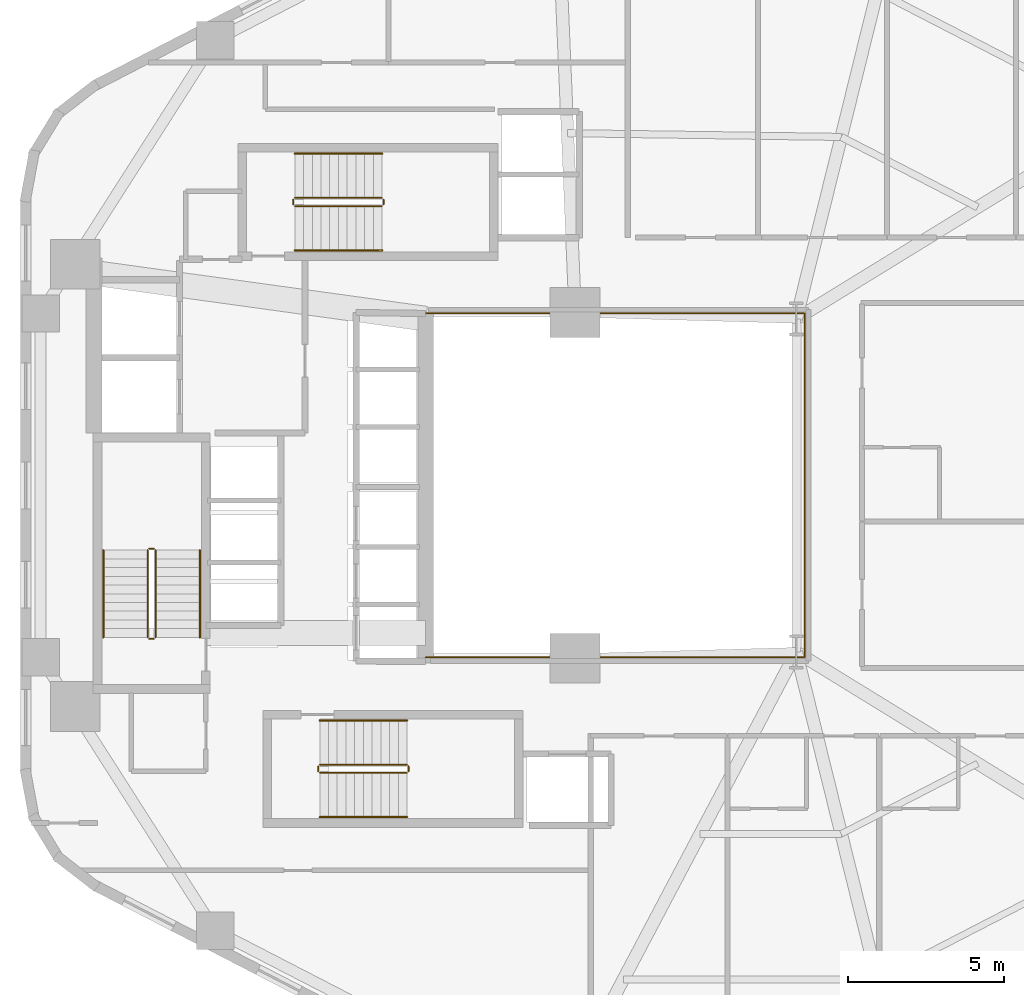
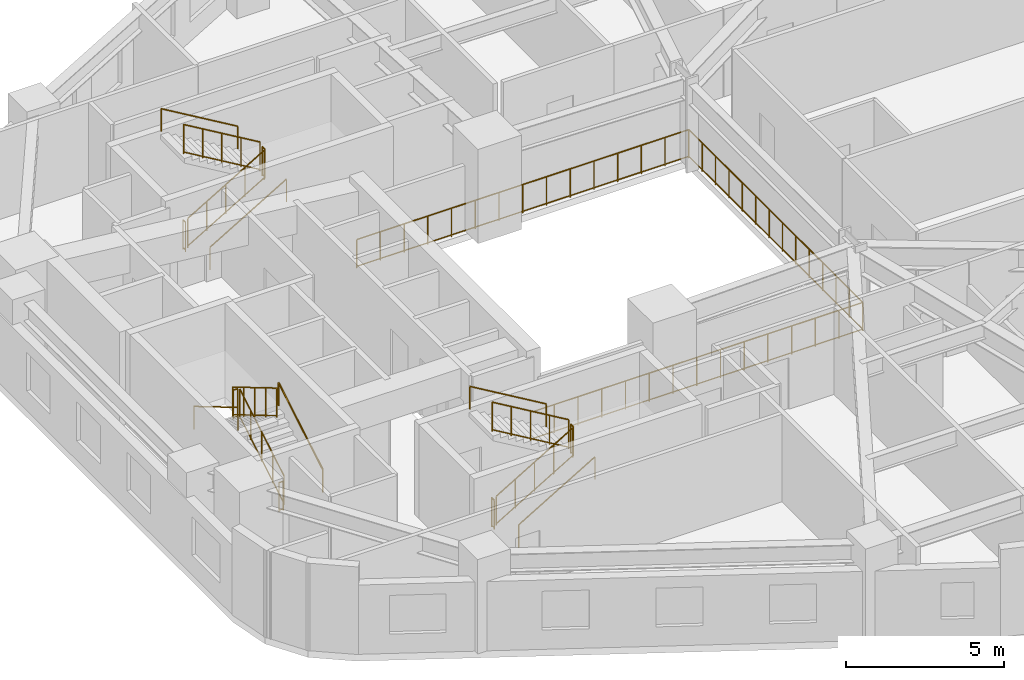
# One storey, part 7 of 7: 19 railings.
"""IFC4 building model written with IfcOpenShell, lengths in metres."""

from ifc_helpers import new_model, si_unit, direction, frame, origin, origin_2d, place, context, subcontext, project, spatial, circle, extrude, material, type_object, element, save


model = new_model("IFC4")

# Units and contexts
model_context = context("Model", 3, precision=1e-05, world=origin(), true_north=direction((0.0, 1.0)))
body_context = subcontext(model_context, "Body", "Model", "MODEL_VIEW")
ifc_project = project(units=[si_unit("LENGTHUNIT", "METRE"), si_unit("AREAUNIT", "SQUARE_METRE"), si_unit("VOLUMEUNIT", "CUBIC_METRE"), si_unit("PLANEANGLEUNIT", "RADIAN"), si_unit("MASSUNIT", "GRAM", prefix="KILO"), si_unit("THERMODYNAMICTEMPERATUREUNIT", "KELVIN"), si_unit("POWERUNIT", "WATT")], contexts=[model_context])

# Site, building, storey
site_placement = place(None, origin())
site = spatial("IfcSite", under=ifc_project, at=site_placement, CompositionType="ELEMENT")
building_placement = place(site_placement, origin())
building = spatial("IfcBuilding", under=site, at=building_placement, Name="Skarre Station Tower", CompositionType="ELEMENT")
storey_placement = place(building_placement, frame((0.0, 0.0, 74.449951171875)))
storey = spatial("IfcBuildingStorey", under=building, at=storey_placement, Name="L19", CompositionType="ELEMENT", Elevation=74.449951171875)

# Railings
ifc_material_1 = material(Name="Bronze Anodized Steel & Laminated Glass Balustrade", Category="steel")
railing_type_1 = type_object("IfcRailingType", Name="Atrium Void & Mezzanine Guard Balustrade 1120", PredefinedType="GUARDRAIL", material=ifc_material_1)
railing_1_placement = place(storey_placement, frame((27.550048828125, 18.47998046875, 0.0)))
element("IfcRailing", 1, at=railing_1_placement, inside=storey, type_object=railing_type_1, Name="L19 Atrium Void Guard Balustrade", PredefinedType="GUARDRAIL", context=body_context, shape_type="SweptSolid", body=[
    extrude(circle(Radius=0.02392578125, at=origin_2d()), frame((0.0, 0.0, 1.09619140625), z_axis=(1.0, 0.0, 0.0), x_axis=(0.0, 1.0, 0.0)), (0.0, 0.0, 1.0), 12.169921875),
    extrude(circle(Radius=0.02099609375, at=origin_2d()), frame((0.0, 0.0, 0.06005859375), z_axis=(1.0, 0.0, 0.0), x_axis=(0.0, 1.0, 0.0)), (0.0, 0.0, 1.0), 12.169921875),
    extrude(circle(Radius=0.02392578125, at=origin_2d()), frame((12.169921875, 0.0, 1.09619140625), z_axis=(0.0, 1.0, 0.0), x_axis=(-1.0, 0.0, 0.0)), (0.0, 0.0, 1.0), 11.0400390625),
    extrude(circle(Radius=0.02099609375, at=origin_2d()), frame((12.169921875, 0.0, 0.06005859375), z_axis=(0.0, 1.0, 0.0), x_axis=(-1.0, 0.0, 0.0)), (0.0, 0.0, 1.0), 11.0400390625),
    extrude(circle(Radius=0.02392578125, at=origin_2d()), frame((12.169921875, 11.0400390625, 1.09619140625), z_axis=(-1.0, 0.0, 0.0), x_axis=(0.0, -1.0, 0.0)), (0.0, 0.0, 1.0), 12.169921875),
    extrude(circle(Radius=0.02099609375, at=origin_2d()), frame((12.169921875, 11.0400390625, 0.06005859375), z_axis=(-1.0, 0.0, 0.0), x_axis=(0.0, -1.0, 0.0)), (0.0, 0.0, 1.0), 12.169921875),
    extrude(circle(Radius=0.02099609375, at=origin_2d()), origin(), (0.0, 0.0, 1.0), 1.072021484375),
    extrude(circle(Radius=0.02099609375, at=origin_2d()), frame((0.869384765625, 0.0, 0.0)), (0.0, 0.0, 1.0), 1.072021484375),
    extrude(circle(Radius=0.02099609375, at=origin_2d()), frame((1.738525390625, 0.0, 0.0)), (0.0, 0.0, 1.0), 1.072021484375),
    extrude(circle(Radius=0.02099609375, at=origin_2d()), frame((2.60791015625, 0.0, 0.0)), (0.0, 0.0, 1.0), 1.072021484375),
    extrude(circle(Radius=0.02099609375, at=origin_2d()), frame((3.47705078125, 0.0, 0.0)), (0.0, 0.0, 1.0), 1.072021484375),
    extrude(circle(Radius=0.02099609375, at=origin_2d()), frame((4.346435546875, 0.0, 0.0)), (0.0, 0.0, 1.0), 1.072021484375),
    extrude(circle(Radius=0.02099609375, at=origin_2d()), frame((5.215576171875, 0.0, 0.0)), (0.0, 0.0, 1.0), 1.072021484375),
    extrude(circle(Radius=0.02099609375, at=origin_2d()), frame((6.0849609375, 0.0, 0.0)), (0.0, 0.0, 1.0), 1.072021484375),
    extrude(circle(Radius=0.02099609375, at=origin_2d()), frame((6.954345703125, 0.0, 0.0)), (0.0, 0.0, 1.0), 1.072021484375),
    extrude(circle(Radius=0.02099609375, at=origin_2d()), frame((7.823486328125, 0.0, 0.0)), (0.0, 0.0, 1.0), 1.072021484375),
    extrude(circle(Radius=0.02099609375, at=origin_2d()), frame((8.69287109375, 0.0, 0.0)), (0.0, 0.0, 1.0), 1.072021484375),
    extrude(circle(Radius=0.02099609375, at=origin_2d()), frame((9.56201171875, 0.0, 0.0)), (0.0, 0.0, 1.0), 1.072021484375),
    extrude(circle(Radius=0.02099609375, at=origin_2d()), frame((10.431396484375, 0.0, 0.0)), (0.0, 0.0, 1.0), 1.072021484375),
    extrude(circle(Radius=0.02099609375, at=origin_2d()), frame((11.300537109375, 0.0, 0.0)), (0.0, 0.0, 1.0), 1.072021484375),
    extrude(circle(Radius=0.02099609375, at=origin_2d()), frame((12.169921875, 0.0, 0.0)), (0.0, 0.0, 1.0), 1.072021484375),
    extrude(circle(Radius=0.02099609375, at=origin_2d()), frame((12.169921875, 0.84912109375, 0.0)), (0.0, 0.0, 1.0), 1.072021484375),
    extrude(circle(Radius=0.02099609375, at=origin_2d()), frame((12.169921875, 1.698486328125, 0.0)), (0.0, 0.0, 1.0), 1.072021484375),
    extrude(circle(Radius=0.02099609375, at=origin_2d()), frame((12.169921875, 2.547607421875, 0.0)), (0.0, 0.0, 1.0), 1.072021484375),
    extrude(circle(Radius=0.02099609375, at=origin_2d()), frame((12.169921875, 3.39697265625, 0.0)), (0.0, 0.0, 1.0), 1.072021484375),
    extrude(circle(Radius=0.02099609375, at=origin_2d()), frame((12.169921875, 4.24609375, 0.0)), (0.0, 0.0, 1.0), 1.072021484375),
    extrude(circle(Radius=0.02099609375, at=origin_2d()), frame((12.169921875, 5.095458984375, 0.0)), (0.0, 0.0, 1.0), 1.072021484375),
    extrude(circle(Radius=0.02099609375, at=origin_2d()), frame((12.169921875, 5.944580078125, 0.0)), (0.0, 0.0, 1.0), 1.072021484375),
    extrude(circle(Radius=0.02099609375, at=origin_2d()), frame((12.169921875, 6.7939453125, 0.0)), (0.0, 0.0, 1.0), 1.072021484375),
    extrude(circle(Radius=0.02099609375, at=origin_2d()), frame((12.169921875, 7.64306640625, 0.0)), (0.0, 0.0, 1.0), 1.072021484375),
    extrude(circle(Radius=0.02099609375, at=origin_2d()), frame((12.169921875, 8.492431640625, 0.0)), (0.0, 0.0, 1.0), 1.072021484375),
    extrude(circle(Radius=0.02099609375, at=origin_2d()), frame((12.169921875, 9.341552734375, 0.0)), (0.0, 0.0, 1.0), 1.072021484375),
    extrude(circle(Radius=0.02099609375, at=origin_2d()), frame((12.169921875, 10.19091796875, 0.0)), (0.0, 0.0, 1.0), 1.072021484375),
    extrude(circle(Radius=0.02099609375, at=origin_2d()), frame((12.169921875, 11.0400390625, 0.0)), (0.0, 0.0, 1.0), 1.072021484375),
    extrude(circle(Radius=0.02099609375, at=origin_2d()), frame((11.300537109375, 11.0400390625, 0.0)), (0.0, 0.0, 1.0), 1.072021484375),
    extrude(circle(Radius=0.02099609375, at=origin_2d()), frame((10.431396484375, 11.0400390625, 0.0)), (0.0, 0.0, 1.0), 1.072021484375),
    extrude(circle(Radius=0.02099609375, at=origin_2d()), frame((9.56201171875, 11.0400390625, 0.0)), (0.0, 0.0, 1.0), 1.072021484375),
    extrude(circle(Radius=0.02099609375, at=origin_2d()), frame((8.69287109375, 11.0400390625, 0.0)), (0.0, 0.0, 1.0), 1.072021484375),
    extrude(circle(Radius=0.02099609375, at=origin_2d()), frame((7.823486328125, 11.0400390625, 0.0)), (0.0, 0.0, 1.0), 1.072021484375),
    extrude(circle(Radius=0.02099609375, at=origin_2d()), frame((6.954345703125, 11.0400390625, 0.0)), (0.0, 0.0, 1.0), 1.072021484375),
    extrude(circle(Radius=0.02099609375, at=origin_2d()), frame((6.0849609375, 11.0400390625, 0.0)), (0.0, 0.0, 1.0), 1.072021484375),
    extrude(circle(Radius=0.02099609375, at=origin_2d()), frame((5.215576171875, 11.0400390625, 0.0)), (0.0, 0.0, 1.0), 1.072021484375),
    extrude(circle(Radius=0.02099609375, at=origin_2d()), frame((4.346435546875, 11.0400390625, 0.0)), (0.0, 0.0, 1.0), 1.072021484375),
    extrude(circle(Radius=0.02099609375, at=origin_2d()), frame((3.47705078125, 11.0400390625, 0.0)), (0.0, 0.0, 1.0), 1.072021484375),
    extrude(circle(Radius=0.02099609375, at=origin_2d()), frame((2.60791015625, 11.0400390625, 0.0)), (0.0, 0.0, 1.0), 1.072021484375),
    extrude(circle(Radius=0.02099609375, at=origin_2d()), frame((1.738525390625, 11.0400390625, 0.0)), (0.0, 0.0, 1.0), 1.072021484375),
    extrude(circle(Radius=0.02099609375, at=origin_2d()), frame((0.869384765625, 11.0400390625, 0.0)), (0.0, 0.0, 1.0), 1.072021484375),
    extrude(circle(Radius=0.02099609375, at=origin_2d()), frame((0.0, 11.0400390625, 0.0)), (0.0, 0.0, 1.0), 1.072021484375),
])
ifc_material_2 = material(Name="Powder-Coated Tubular Steel", Category="steel")
railing_type_2 = type_object("IfcRailingType", Name="Painted Steel Ramp & Stair Handrail 920", PredefinedType="HANDRAIL", material=ifc_material_2)
railing_2_placement = place(storey_placement, frame((20.300048828125, 19.1201171875, 0.166015625)))
element("IfcRailing", 2, at=railing_2_placement, inside=storey, type_object=railing_type_2, Name="L19 ST-1 stair handrail 1", PredefinedType="HANDRAIL", context=body_context, shape_type="SweptSolid", body=[
    extrude(circle(Radius=0.02392578125, at=origin_2d()), frame((0.0, 0.0, 0.8759765625), z_axis=(0.0, 0.860319559791, 0.509755093197), x_axis=(-1.0, 0.0, 0.0)), (0.0, 0.0, 1.0), 3.25439453125),
    extrude(circle(Radius=0.02099609375, at=origin_2d()), origin(), (0.0, 0.0, 1.0), 0.851806640625),
    extrude(circle(Radius=0.02099609375, at=origin_2d()), frame((0.0, 2.7998046875, 1.658935546875)), (0.0, 0.0, 1.0), 0.851806640625),
])
railing_3_placement = place(storey_placement, frame((17.199951171875, 21.919921875, 1.990966796875)))
element("IfcRailing", 3, at=railing_3_placement, inside=storey, type_object=railing_type_2, Name="L19 ST-1 stair handrail 2", PredefinedType="HANDRAIL", context=body_context, shape_type="SweptSolid", body=[
    extrude(circle(Radius=0.02392578125, at=origin_2d()), frame((0.0, 0.0, 0.8759765625), z_axis=(0.0, -0.860286659441, 0.509810615413), x_axis=(1.0, 0.0, 0.0)), (0.0, 0.0, 1.0), 3.25439453125),
    extrude(circle(Radius=0.02099609375, at=origin_2d()), origin(), (0.0, 0.0, 1.0), 0.851806640625),
    extrude(circle(Radius=0.02099609375, at=origin_2d()), frame((0.0, -2.7998046875, 1.6591796875)), (0.0, 0.0, 1.0), 0.851806640625),
])
railing_4_placement = place(storey_placement, frame((24.14990234375, 13.35009765625, 0.166015625)))
element("IfcRailing", 4, at=railing_4_placement, inside=storey, type_object=railing_type_2, Name="L19 ST-2 stair handrail 1", PredefinedType="HANDRAIL", context=body_context, shape_type="SweptSolid", body=[
    extrude(circle(Radius=0.02392578125, at=origin_2d()), frame((0.0, 0.0, 0.8759765625), z_axis=(0.860339051648, 0.0, 0.50972219513), x_axis=(0.0, 1.0, 0.0)), (0.0, 0.0, 1.0), 3.254638671875),
    extrude(circle(Radius=0.02099609375, at=origin_2d()), origin(), (0.0, 0.0, 1.0), 0.851806640625),
    extrude(circle(Radius=0.02099609375, at=origin_2d()), frame((2.800048828125, 0.0, 1.658935546875)), (0.0, 0.0, 1.0), 0.851806640625),
])
railing_5_placement = place(storey_placement, frame((26.949951171875, 16.449951171875, 1.990966796875)))
element("IfcRailing", 5, at=railing_5_placement, inside=storey, type_object=railing_type_2, Name="L19 ST-2 stair handrail 2", PredefinedType="HANDRAIL", context=body_context, shape_type="SweptSolid", body=[
    extrude(circle(Radius=0.02392578125, at=origin_2d()), frame((0.0, 0.0, 0.8759765625), z_axis=(-0.860306154799, 0.0, 0.50977771628), x_axis=(0.0, -1.0, 0.0)), (0.0, 0.0, 1.0), 3.254638671875),
    extrude(circle(Radius=0.02099609375, at=origin_2d()), origin(), (0.0, 0.0, 1.0), 0.851806640625),
    extrude(circle(Radius=0.02099609375, at=origin_2d()), frame((-2.800048828125, 0.0, 1.6591796875)), (0.0, 0.0, 1.0), 0.851806640625),
])
railing_6_placement = place(storey_placement, frame((23.35009765625, 31.550048828125, 0.166015625)))
element("IfcRailing", 6, at=railing_6_placement, inside=storey, type_object=railing_type_2, Name="L19 ST-3 stair handrail 1", PredefinedType="HANDRAIL", context=body_context, shape_type="SweptSolid", body=[
    extrude(circle(Radius=0.02392578125, at=origin_2d()), frame((0.0, 0.0, 0.8759765625), z_axis=(0.860319559791, 0.0, 0.509755093197), x_axis=(0.0, 1.0, 0.0)), (0.0, 0.0, 1.0), 3.25439453125),
    extrude(circle(Radius=0.02099609375, at=origin_2d()), origin(), (0.0, 0.0, 1.0), 0.851806640625),
    extrude(circle(Radius=0.02099609375, at=origin_2d()), frame((2.7998046875, 0.0, 1.658935546875)), (0.0, 0.0, 1.0), 0.851806640625),
])
railing_7_placement = place(storey_placement, frame((26.14990234375, 34.64990234375, 1.990966796875)))
element("IfcRailing", 7, at=railing_7_placement, inside=storey, type_object=railing_type_2, Name="L19 ST-3 stair handrail 2", PredefinedType="HANDRAIL", context=body_context, shape_type="SweptSolid", body=[
    extrude(circle(Radius=0.02392578125, at=origin_2d()), frame((0.0, 0.0, 0.8759765625), z_axis=(-0.860286659441, 0.0, 0.509810615413), x_axis=(0.0, -1.0, 0.0)), (0.0, 0.0, 1.0), 3.25439453125),
    extrude(circle(Radius=0.02099609375, at=origin_2d()), origin(), (0.0, 0.0, 1.0), 0.851806640625),
    extrude(circle(Radius=0.02099609375, at=origin_2d()), frame((-2.7998046875, 0.0, 1.6591796875)), (0.0, 0.0, 1.0), 0.851806640625),
])
railing_type_3 = type_object("IfcRailingType", Name="Painted Steel Stairwell Guardrail 1100", PredefinedType="GUARDRAIL", material=ifc_material_2)
railing_8_placement = place(storey_placement, frame((18.8798828125, 19.1201171875, 0.166015625)))
element("IfcRailing", 8, at=railing_8_placement, inside=storey, type_object=railing_type_3, Name="L19 ST-1 stair guard 1", PredefinedType="GUARDRAIL", context=body_context, shape_type="SweptSolid", body=[
    extrude(circle(Radius=0.02392578125, at=origin_2d()), frame((0.0, 0.0, 1.1259765625), z_axis=(0.0, 0.860319559791, 0.509755093197), x_axis=(-1.0, 0.0, 0.0)), (0.0, 0.0, 1.0), 3.25439453125),
    extrude(circle(Radius=0.02099609375, at=origin_2d()), frame((0.0, 0.0, 0.06005859375), z_axis=(0.0, 0.860319559791, 0.509755093197), x_axis=(-1.0, 0.0, 0.0)), (0.0, 0.0, 1.0), 3.25439453125),
    extrude(circle(Radius=0.02099609375, at=origin_2d()), origin(), (0.0, 0.0, 1.0), 1.101806640625),
    extrude(circle(Radius=0.02099609375, at=origin_2d()), frame((0.0, 0.699951171875, 0.414794921875)), (0.0, 0.0, 1.0), 1.101806640625),
    extrude(circle(Radius=0.02099609375, at=origin_2d()), frame((0.0, 1.39990234375, 0.82958984375)), (0.0, 0.0, 1.0), 1.101806640625),
    extrude(circle(Radius=0.02099609375, at=origin_2d()), frame((0.0, 2.099853515625, 1.244140625)), (0.0, 0.0, 1.0), 1.101806640625),
    extrude(circle(Radius=0.02099609375, at=origin_2d()), frame((0.0, 2.7998046875, 1.658935546875)), (0.0, 0.0, 1.0), 1.101806640625),
])
railing_9_placement = place(storey_placement, frame((18.830078125, 21.969970703125, 1.824951171875)))
element("IfcRailing", 9, at=railing_9_placement, inside=storey, type_object=railing_type_3, Name="L19 ST-1 stair guard 2", PredefinedType="GUARDRAIL", context=body_context, shape_type="SweptSolid", body=[
    extrude(circle(Radius=0.02392578125, at=origin_2d()), frame((0.0, 0.0, 1.1259765625), z_axis=(-1.0, 0.0, 0.0), x_axis=(0.0, -1.0, 0.0)), (0.0, 0.0, 1.0), 0.16015625),
    extrude(circle(Radius=0.02099609375, at=origin_2d()), frame((0.0, 0.0, 0.06005859375), z_axis=(-1.0, 0.0, 0.0), x_axis=(0.0, -1.0, 0.0)), (0.0, 0.0, 1.0), 0.16015625),
    extrude(circle(Radius=0.02099609375, at=origin_2d()), origin(), (0.0, 0.0, 1.0), 1.101806640625),
    extrude(circle(Radius=0.02099609375, at=origin_2d()), frame((-0.16015625, 0.0, 0.0)), (0.0, 0.0, 1.0), 1.101806640625),
])
railing_10_placement = place(storey_placement, frame((18.6201171875, 21.919921875, 1.990966796875)))
element("IfcRailing", 10, at=railing_10_placement, inside=storey, type_object=railing_type_3, Name="L19 ST-1 stair guard 3", PredefinedType="GUARDRAIL", context=body_context, shape_type="SweptSolid", body=[
    extrude(circle(Radius=0.02392578125, at=origin_2d()), frame((0.0, 0.0, 1.1259765625), z_axis=(0.0, -0.860286659441, 0.509810615413), x_axis=(1.0, 0.0, 0.0)), (0.0, 0.0, 1.0), 3.25439453125),
    extrude(circle(Radius=0.02099609375, at=origin_2d()), frame((0.0, 0.0, 0.06005859375), z_axis=(0.0, -0.860286659441, 0.509810615413), x_axis=(1.0, 0.0, 0.0)), (0.0, 0.0, 1.0), 3.25439453125),
    extrude(circle(Radius=0.02099609375, at=origin_2d()), origin(), (0.0, 0.0, 1.0), 1.101806640625),
    extrude(circle(Radius=0.02099609375, at=origin_2d()), frame((0.0, -0.699951171875, 0.414794921875)), (0.0, 0.0, 1.0), 1.101806640625),
    extrude(circle(Radius=0.02099609375, at=origin_2d()), frame((0.0, -1.39990234375, 0.82958984375)), (0.0, 0.0, 1.0), 1.101806640625),
    extrude(circle(Radius=0.02099609375, at=origin_2d()), frame((0.0, -2.099853515625, 1.244384765625)), (0.0, 0.0, 1.0), 1.101806640625),
    extrude(circle(Radius=0.02099609375, at=origin_2d()), frame((0.0, -2.7998046875, 1.6591796875)), (0.0, 0.0, 1.0), 1.101806640625),
])
railing_11_placement = place(storey_placement, frame((18.830078125, 19.070068359375, 0.0)))
element("IfcRailing", 11, at=railing_11_placement, inside=storey, type_object=railing_type_3, Name="L19 ST-1 stair guard 4", PredefinedType="GUARDRAIL", context=body_context, shape_type="SweptSolid", body=[
    extrude(circle(Radius=0.02392578125, at=origin_2d()), frame((0.0, 0.0, 1.1259765625), z_axis=(-1.0, 0.0, 0.0), x_axis=(0.0, -1.0, 0.0)), (0.0, 0.0, 1.0), 0.16015625),
    extrude(circle(Radius=0.02099609375, at=origin_2d()), frame((0.0, 0.0, 0.06005859375), z_axis=(-1.0, 0.0, 0.0), x_axis=(0.0, -1.0, 0.0)), (0.0, 0.0, 1.0), 0.16015625),
    extrude(circle(Radius=0.02099609375, at=origin_2d()), origin(), (0.0, 0.0, 1.0), 1.101806640625),
    extrude(circle(Radius=0.02099609375, at=origin_2d()), frame((-0.16015625, 0.0, 0.0)), (0.0, 0.0, 1.0), 1.101806640625),
])
railing_12_placement = place(storey_placement, frame((24.14990234375, 14.77001953125, 0.166015625)))
element("IfcRailing", 12, at=railing_12_placement, inside=storey, type_object=railing_type_3, Name="L19 ST-2 stair guard 1", PredefinedType="GUARDRAIL", context=body_context, shape_type="SweptSolid", body=[
    extrude(circle(Radius=0.02392578125, at=origin_2d()), frame((0.0, 0.0, 1.1259765625), z_axis=(0.860339051648, 0.0, 0.50972219513), x_axis=(0.0, 1.0, 0.0)), (0.0, 0.0, 1.0), 3.254638671875),
    extrude(circle(Radius=0.02099609375, at=origin_2d()), frame((0.0, 0.0, 0.06005859375), z_axis=(0.860339051648, 0.0, 0.50972219513), x_axis=(0.0, 1.0, 0.0)), (0.0, 0.0, 1.0), 3.254638671875),
    extrude(circle(Radius=0.02099609375, at=origin_2d()), origin(), (0.0, 0.0, 1.0), 1.101806640625),
    extrude(circle(Radius=0.02099609375, at=origin_2d()), frame((0.699951171875, 0.0, 0.414794921875)), (0.0, 0.0, 1.0), 1.101806640625),
    extrude(circle(Radius=0.02099609375, at=origin_2d()), frame((1.39990234375, 0.0, 0.82958984375)), (0.0, 0.0, 1.0), 1.101806640625),
    extrude(circle(Radius=0.02099609375, at=origin_2d()), frame((2.10009765625, 0.0, 1.244140625)), (0.0, 0.0, 1.0), 1.101806640625),
    extrude(circle(Radius=0.02099609375, at=origin_2d()), frame((2.800048828125, 0.0, 1.658935546875)), (0.0, 0.0, 1.0), 1.101806640625),
])
railing_13_placement = place(storey_placement, frame((27.0, 14.820068359375, 1.824951171875)))
element("IfcRailing", 13, at=railing_13_placement, inside=storey, type_object=railing_type_3, Name="L19 ST-2 stair guard 2", PredefinedType="GUARDRAIL", context=body_context, shape_type="SweptSolid", body=[
    extrude(circle(Radius=0.02392578125, at=origin_2d()), frame((0.0, 0.0, 1.1259765625), z_axis=(0.0, 1.0, 0.0), x_axis=(-1.0, 0.0, 0.0)), (0.0, 0.0, 1.0), 0.159912109375),
    extrude(circle(Radius=0.02099609375, at=origin_2d()), frame((0.0, 0.0, 0.06005859375), z_axis=(0.0, 1.0, 0.0), x_axis=(-1.0, 0.0, 0.0)), (0.0, 0.0, 1.0), 0.159912109375),
    extrude(circle(Radius=0.02099609375, at=origin_2d()), origin(), (0.0, 0.0, 1.0), 1.101806640625),
    extrude(circle(Radius=0.02099609375, at=origin_2d()), frame((0.0, 0.159912109375, 0.0)), (0.0, 0.0, 1.0), 1.101806640625),
])
railing_14_placement = place(storey_placement, frame((26.949951171875, 15.030029296875, 1.990966796875)))
element("IfcRailing", 14, at=railing_14_placement, inside=storey, type_object=railing_type_3, Name="L19 ST-2 stair guard 3", PredefinedType="GUARDRAIL", context=body_context, shape_type="SweptSolid", body=[
    extrude(circle(Radius=0.02392578125, at=origin_2d()), frame((0.0, 0.0, 1.1259765625), z_axis=(-0.860306154799, 0.0, 0.50977771628), x_axis=(0.0, -1.0, 0.0)), (0.0, 0.0, 1.0), 3.254638671875),
    extrude(circle(Radius=0.02099609375, at=origin_2d()), frame((0.0, 0.0, 0.06005859375), z_axis=(-0.860306154799, 0.0, 0.50977771628), x_axis=(0.0, -1.0, 0.0)), (0.0, 0.0, 1.0), 3.254638671875),
    extrude(circle(Radius=0.02099609375, at=origin_2d()), origin(), (0.0, 0.0, 1.0), 1.101806640625),
    extrude(circle(Radius=0.02099609375, at=origin_2d()), frame((-0.699951171875, 0.0, 0.414794921875)), (0.0, 0.0, 1.0), 1.101806640625),
    extrude(circle(Radius=0.02099609375, at=origin_2d()), frame((-1.39990234375, 0.0, 0.82958984375)), (0.0, 0.0, 1.0), 1.101806640625),
    extrude(circle(Radius=0.02099609375, at=origin_2d()), frame((-2.10009765625, 0.0, 1.244384765625)), (0.0, 0.0, 1.0), 1.101806640625),
    extrude(circle(Radius=0.02099609375, at=origin_2d()), frame((-2.800048828125, 0.0, 1.6591796875)), (0.0, 0.0, 1.0), 1.101806640625),
])
railing_15_placement = place(storey_placement, frame((24.10009765625, 14.820068359375, 0.0)))
element("IfcRailing", 15, at=railing_15_placement, inside=storey, type_object=railing_type_3, Name="L19 ST-2 stair guard 4", PredefinedType="GUARDRAIL", context=body_context, shape_type="SweptSolid", body=[
    extrude(circle(Radius=0.02392578125, at=origin_2d()), frame((0.0, 0.0, 1.1259765625), z_axis=(0.0, 1.0, 0.0), x_axis=(-1.0, 0.0, 0.0)), (0.0, 0.0, 1.0), 0.159912109375),
    extrude(circle(Radius=0.02099609375, at=origin_2d()), frame((0.0, 0.0, 0.06005859375), z_axis=(0.0, 1.0, 0.0), x_axis=(-1.0, 0.0, 0.0)), (0.0, 0.0, 1.0), 0.159912109375),
    extrude(circle(Radius=0.02099609375, at=origin_2d()), origin(), (0.0, 0.0, 1.0), 1.101806640625),
    extrude(circle(Radius=0.02099609375, at=origin_2d()), frame((0.0, 0.159912109375, 0.0)), (0.0, 0.0, 1.0), 1.101806640625),
])
railing_16_placement = place(storey_placement, frame((23.35009765625, 32.969970703125, 0.166015625)))
element("IfcRailing", 16, at=railing_16_placement, inside=storey, type_object=railing_type_3, Name="L19 ST-3 stair guard 1", PredefinedType="GUARDRAIL", context=body_context, shape_type="SweptSolid", body=[
    extrude(circle(Radius=0.02392578125, at=origin_2d()), frame((0.0, 0.0, 1.1259765625), z_axis=(0.860319559791, 0.0, 0.509755093197), x_axis=(0.0, 1.0, 0.0)), (0.0, 0.0, 1.0), 3.25439453125),
    extrude(circle(Radius=0.02099609375, at=origin_2d()), frame((0.0, 0.0, 0.06005859375), z_axis=(0.860319559791, 0.0, 0.509755093197), x_axis=(0.0, 1.0, 0.0)), (0.0, 0.0, 1.0), 3.25439453125),
    extrude(circle(Radius=0.02099609375, at=origin_2d()), origin(), (0.0, 0.0, 1.0), 1.101806640625),
    extrude(circle(Radius=0.02099609375, at=origin_2d()), frame((0.699951171875, 0.0, 0.414794921875)), (0.0, 0.0, 1.0), 1.101806640625),
    extrude(circle(Radius=0.02099609375, at=origin_2d()), frame((1.39990234375, 0.0, 0.82958984375)), (0.0, 0.0, 1.0), 1.101806640625),
    extrude(circle(Radius=0.02099609375, at=origin_2d()), frame((2.099853515625, 0.0, 1.244140625)), (0.0, 0.0, 1.0), 1.101806640625),
    extrude(circle(Radius=0.02099609375, at=origin_2d()), frame((2.7998046875, 0.0, 1.658935546875)), (0.0, 0.0, 1.0), 1.101806640625),
])
railing_17_placement = place(storey_placement, frame((26.199951171875, 33.02001953125, 1.824951171875)))
element("IfcRailing", 17, at=railing_17_placement, inside=storey, type_object=railing_type_3, Name="L19 ST-3 stair guard 2", PredefinedType="GUARDRAIL", context=body_context, shape_type="SweptSolid", body=[
    extrude(circle(Radius=0.02392578125, at=origin_2d()), frame((0.0, 0.0, 1.1259765625), z_axis=(0.0, 1.0, 0.0), x_axis=(-1.0, 0.0, 0.0)), (0.0, 0.0, 1.0), 0.159912109375),
    extrude(circle(Radius=0.02099609375, at=origin_2d()), frame((0.0, 0.0, 0.06005859375), z_axis=(0.0, 1.0, 0.0), x_axis=(-1.0, 0.0, 0.0)), (0.0, 0.0, 1.0), 0.159912109375),
    extrude(circle(Radius=0.02099609375, at=origin_2d()), origin(), (0.0, 0.0, 1.0), 1.101806640625),
    extrude(circle(Radius=0.02099609375, at=origin_2d()), frame((0.0, 0.159912109375, 0.0)), (0.0, 0.0, 1.0), 1.101806640625),
])
railing_18_placement = place(storey_placement, frame((26.14990234375, 33.22998046875, 1.990966796875)))
element("IfcRailing", 18, at=railing_18_placement, inside=storey, type_object=railing_type_3, Name="L19 ST-3 stair guard 3", PredefinedType="GUARDRAIL", context=body_context, shape_type="SweptSolid", body=[
    extrude(circle(Radius=0.02392578125, at=origin_2d()), frame((0.0, 0.0, 1.1259765625), z_axis=(-0.860286659441, 0.0, 0.509810615413), x_axis=(0.0, -1.0, 0.0)), (0.0, 0.0, 1.0), 3.25439453125),
    extrude(circle(Radius=0.02099609375, at=origin_2d()), frame((0.0, 0.0, 0.06005859375), z_axis=(-0.860286659441, 0.0, 0.509810615413), x_axis=(0.0, -1.0, 0.0)), (0.0, 0.0, 1.0), 3.25439453125),
    extrude(circle(Radius=0.02099609375, at=origin_2d()), origin(), (0.0, 0.0, 1.0), 1.101806640625),
    extrude(circle(Radius=0.02099609375, at=origin_2d()), frame((-0.699951171875, 0.0, 0.414794921875)), (0.0, 0.0, 1.0), 1.101806640625),
    extrude(circle(Radius=0.02099609375, at=origin_2d()), frame((-1.39990234375, 0.0, 0.82958984375)), (0.0, 0.0, 1.0), 1.101806640625),
    extrude(circle(Radius=0.02099609375, at=origin_2d()), frame((-2.099853515625, 0.0, 1.244384765625)), (0.0, 0.0, 1.0), 1.101806640625),
    extrude(circle(Radius=0.02099609375, at=origin_2d()), frame((-2.7998046875, 0.0, 1.6591796875)), (0.0, 0.0, 1.0), 1.101806640625),
])
railing_19_placement = place(storey_placement, frame((23.300048828125, 33.02001953125, 0.0)))
element("IfcRailing", 19, at=railing_19_placement, inside=storey, type_object=railing_type_3, Name="L19 ST-3 stair guard 4", PredefinedType="GUARDRAIL", context=body_context, shape_type="SweptSolid", body=[
    extrude(circle(Radius=0.02392578125, at=origin_2d()), frame((0.0, 0.0, 1.1259765625), z_axis=(0.0, 1.0, 0.0), x_axis=(-1.0, 0.0, 0.0)), (0.0, 0.0, 1.0), 0.159912109375),
    extrude(circle(Radius=0.02099609375, at=origin_2d()), frame((0.0, 0.0, 0.06005859375), z_axis=(0.0, 1.0, 0.0), x_axis=(-1.0, 0.0, 0.0)), (0.0, 0.0, 1.0), 0.159912109375),
    extrude(circle(Radius=0.02099609375, at=origin_2d()), origin(), (0.0, 0.0, 1.0), 1.101806640625),
    extrude(circle(Radius=0.02099609375, at=origin_2d()), frame((0.0, 0.159912109375, 0.0)), (0.0, 0.0, 1.0), 1.101806640625),
])

save(model, "model.ifc")
